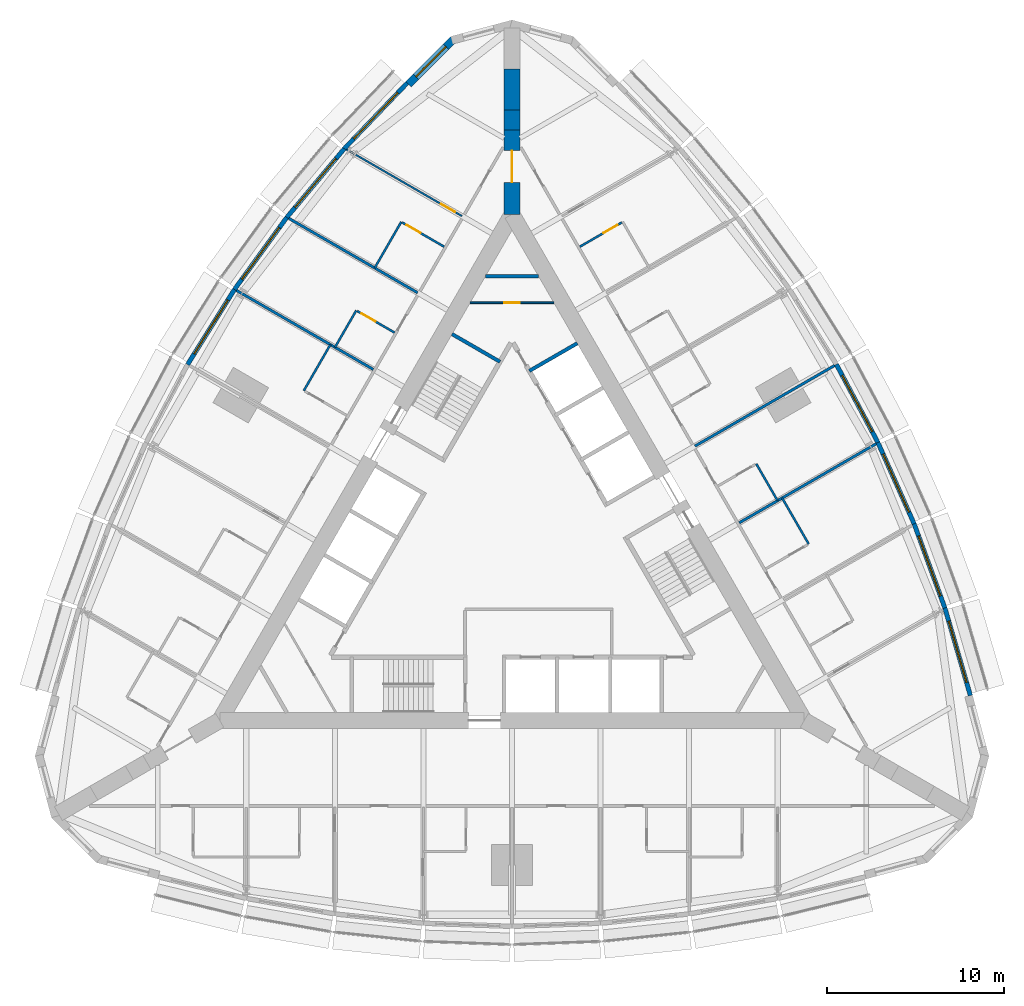
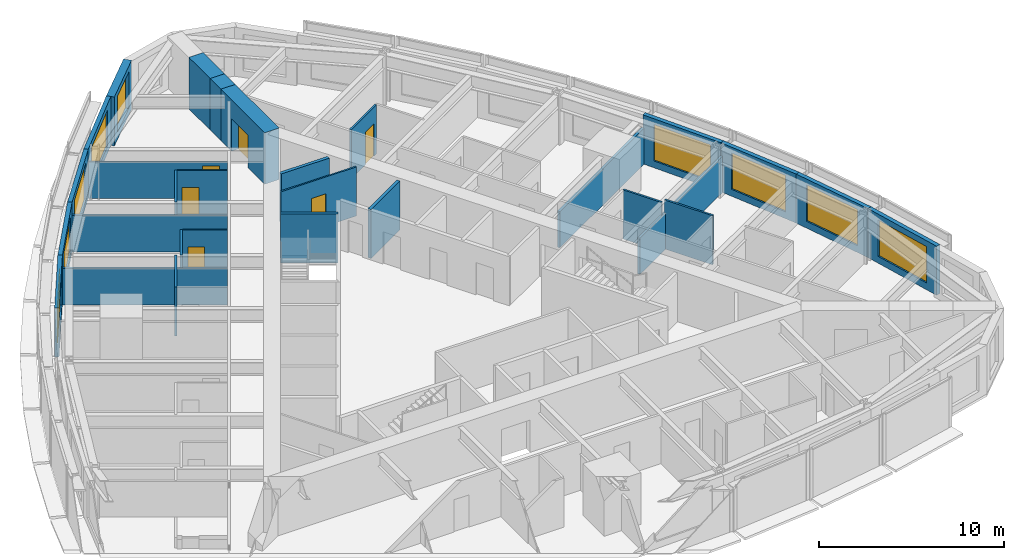
# One storey, part 12 of 14: 29 walls, 9 windows, 6 doors, 15 openings.
"""IFC4 building model written with IfcOpenShell, lengths in metres."""

from ifc_helpers import new_model, si_unit, direction, frame, frame_2d, origin, place, context, subcontext, project, spatial, rectangle, extrude, material, layer, layer_set, type_object, element, fill, save


model = new_model("IFC4")

# Units and contexts
model_context = context("Model", 3, precision=1e-05, world=origin(), true_north=direction((0.0, 1.0)))
body_context = subcontext(model_context, "Body", "Model", "MODEL_VIEW")
ifc_project = project(units=[si_unit("LENGTHUNIT", "METRE"), si_unit("AREAUNIT", "SQUARE_METRE"), si_unit("VOLUMEUNIT", "CUBIC_METRE"), si_unit("PLANEANGLEUNIT", "RADIAN"), si_unit("MASSUNIT", "GRAM", prefix="KILO")], contexts=[model_context])

# Site, building, storey
site_placement = place(None, origin())
site = spatial("IfcSite", under=ifc_project, at=site_placement, CompositionType="ELEMENT")
building_placement = place(site_placement, origin())
building = spatial("IfcBuilding", under=site, at=building_placement, Name="Trikona Tower", CompositionType="ELEMENT")
storey_placement = place(building_placement, frame((0.0, 0.0, 135.10009765625)))
storey = spatial("IfcBuildingStorey", under=building, at=storey_placement, Name="L35", CompositionType="ELEMENT", Elevation=135.10009765625)

# Walls
ifc_material_1 = material(Name="Metal stud and cement board", Category="gypsum")
ifc_layer_1 = layer(ifc_material_1, 0.1201171875)
ifc_layer_set_1 = layer_set([ifc_layer_1], Name="Bathroom wall 120")
wall_type_1 = type_object("IfcWallType", Name="Bathroom wall 120", PredefinedType="PLUMBINGWALL", material=ifc_layer_set_1)
wall_1_placement = place(storey_placement, frame((16.75341796875, 0.434814453125, 0.0), z_axis=(0.0, 0.0, 1.0), x_axis=(-0.499990139034, 0.866031096941, 0.0)))
element("IfcWall", 1, at=wall_1_placement, inside=storey, type_object=wall_type_1, Name="Bathroom wall 3506", PredefinedType="PLUMBINGWALL", context=body_context, shape_type="SweptSolid", body=[
    extrude(rectangle(XDim=3.0, YDim=0.1201171875, at=frame_2d((1.5, 0.0))), origin(), (0.0, 0.0, 1.0), 3.23486328125),
])
wall_2_placement = place(storey_placement, frame((14.993408203125, 2.883056640625, 0.0), z_axis=(0.0, 0.0, 1.0), x_axis=(-0.500001309137, 0.866024647952, 0.0)))
element("IfcWall", 2, at=wall_2_placement, inside=storey, type_object=wall_type_1, Name="Bathroom wall 3507", PredefinedType="PLUMBINGWALL", context=body_context, shape_type="SweptSolid", body=[
    extrude(rectangle(XDim=2.39990234375, YDim=0.1201171875, at=frame_2d((1.199951171875, 0.0))), origin(), (0.0, 0.0, 1.0), 3.23486328125),
])

# Wall, opening, door
wall_3_placement = place(storey_placement, frame((3.82861328125, 17.221435546875, 0.0), z_axis=(0.0, 0.0, 1.0), x_axis=(0.865997131366, 0.500048966069, 0.0)))
wall_3 = element("IfcWall", 3, at=wall_3_placement, inside=storey, type_object=wall_type_1, Name="Bathroom wall 3510.1", PredefinedType="PLUMBINGWALL", context=body_context, shape_type="SweptSolid", body=[
    extrude(rectangle(XDim=2.739990234375, YDim=0.1201171875, at=frame_2d((1.3701171875, 0.0))), origin(), (0.0, 0.0, 1.0), 3.23486328125),
])
opening_1_placement = place(wall_3_placement, frame((1.550048828125, 0.0, 0.0)))
opening_1 = element("IfcOpeningElement", 4, at=opening_1_placement, cuts=wall_3, Name="Opening D2", PredefinedType="OPENING", context=body_context, shape_type="SweptSolid", body=[
    extrude(rectangle(XDim=0.89990234375, YDim=2.1298828125, at=frame_2d((0.449951171875, 1.06494140625))), frame((0.0, 0.070068359375, 0.0), z_axis=(0.0, -1.0, 0.0), x_axis=(1.0, 0.0, 0.0)), (0.0, 0.0, 1.0), 0.14013671875),
])
ifc_material_2 = material(Name="Steel door frame with solid-core timber leaf", Category="steel")
door_type_1 = type_object("IfcDoorType", Name="Bathroom door 900x2130", OperationType="SLIDING_TO_LEFT", PredefinedType="DOOR", material=ifc_material_2)
door_1_placement = place(opening_1_placement, origin())
door_1 = element("IfcDoor", 5, at=door_1_placement, inside=storey, type_object=door_type_1, Name="Bathroom door 3510.1", OperationType="SLIDING_TO_LEFT", OverallHeight=2.1298828125, OverallWidth=0.89990234375, PredefinedType="DOOR", context=body_context, shape_type="SweptSolid", body=[
    extrude(rectangle(XDim=0.89990234375, YDim=2.1298828125, at=frame_2d((0.449951171875, 1.06494140625))), frame((0.0, 0.02490234375, 0.0), z_axis=(0.0, -1.0, 0.0), x_axis=(1.0, 0.0, 0.0)), (0.0, 0.0, 1.0), 0.050048828125),
])
fill(opening_1, door_1)

# Wall
wall_4_placement = place(storey_placement, frame((-6.25341796875, 18.62158203125, 0.0), z_axis=(0.0, 0.0, 1.0), x_axis=(-0.499990139034, -0.866031096941, 0.0)))
element("IfcWall", 6, at=wall_4_placement, inside=storey, type_object=wall_type_1, Name="Bathroom wall 3511.1", PredefinedType="PLUMBINGWALL", context=body_context, shape_type="SweptSolid", body=[
    extrude(rectangle(XDim=3.0, YDim=0.1201171875, at=frame_2d((1.5, 0.0))), origin(), (0.0, 0.0, 1.0), 3.23486328125),
])

# Wall, opening, door
wall_5_placement = place(storey_placement, frame((-3.82861328125, 17.221435546875, 0.0), z_axis=(0.0, 0.0, 1.0), x_axis=(-0.865997131366, 0.500048966069, 0.0)))
wall_5 = element("IfcWall", 7, at=wall_5_placement, inside=storey, type_object=wall_type_1, Name="Bathroom wall 3511.1", PredefinedType="PLUMBINGWALL", context=body_context, shape_type="SweptSolid", body=[
    extrude(rectangle(XDim=2.739990234375, YDim=0.1201171875, at=frame_2d((1.3701171875, 0.0))), origin(), (0.0, 0.0, 1.0), 3.23486328125),
])
opening_2_placement = place(wall_5_placement, frame((1.550048828125, 0.0, 0.0)))
opening_2 = element("IfcOpeningElement", 8, at=opening_2_placement, cuts=wall_5, Name="Opening D2", PredefinedType="OPENING", context=body_context, shape_type="SweptSolid", body=[
    extrude(rectangle(XDim=0.89990234375, YDim=2.1298828125, at=frame_2d((0.449951171875, 1.06494140625))), frame((0.0, 0.070068359375, 0.0), z_axis=(0.0, -1.0, 0.0), x_axis=(1.0, 0.0, 0.0)), (0.0, 0.0, 1.0), 0.14013671875),
])
door_2_placement = place(opening_2_placement, origin())
door_2 = element("IfcDoor", 9, at=door_2_placement, inside=storey, type_object=door_type_1, Name="Bathroom door 3511.1", OperationType="SLIDING_TO_LEFT", OverallHeight=2.1298828125, OverallWidth=0.89990234375, PredefinedType="DOOR", context=body_context, shape_type="SweptSolid", body=[
    extrude(rectangle(XDim=0.89990234375, YDim=2.1298828125, at=frame_2d((0.449951171875, 1.06494140625))), frame((0.0, 0.02490234375, 0.0), z_axis=(0.0, -1.0, 0.0), x_axis=(1.0, 0.0, 0.0)), (0.0, 0.0, 1.0), 0.050048828125),
])
fill(opening_2, door_2)

# Wall
wall_6_placement = place(storey_placement, frame((-8.79345703125, 13.62158203125, 0.0), z_axis=(0.0, 0.0, 1.0), x_axis=(-0.500001309137, -0.866024647952, 0.0)))
element("IfcWall", 10, at=wall_6_placement, inside=storey, type_object=wall_type_1, Name="Bathroom wall 3512", PredefinedType="PLUMBINGWALL", context=body_context, shape_type="SweptSolid", body=[
    extrude(rectangle(XDim=2.39990234375, YDim=0.1201171875, at=frame_2d((1.199951171875, 0.0))), origin(), (0.0, 0.0, 1.0), 3.23486328125),
])

# Wall, opening, door
wall_7_placement = place(storey_placement, frame((-6.62841796875, 12.37158203125, 0.0), z_axis=(0.0, 0.0, 1.0), x_axis=(-0.866005645448, 0.500034220881, 0.0)))
wall_7 = element("IfcWall", 11, at=wall_7_placement, inside=storey, type_object=wall_type_1, Name="Bathroom wall 3512", PredefinedType="PLUMBINGWALL", context=body_context, shape_type="SweptSolid", body=[
    extrude(rectangle(XDim=2.440185546875, YDim=0.1201171875, at=frame_2d((1.22021484375, 0.0))), origin(), (0.0, 0.0, 1.0), 3.23486328125),
])
opening_3_placement = place(wall_7_placement, frame((1.25, 0.0, 0.0)))
opening_3 = element("IfcOpeningElement", 12, at=opening_3_placement, cuts=wall_7, Name="Opening D2", PredefinedType="OPENING", context=body_context, shape_type="SweptSolid", body=[
    extrude(rectangle(XDim=0.89990234375, YDim=2.1298828125, at=frame_2d((0.449951171875, 1.06494140625))), frame((0.0, 0.070068359375, 0.0), z_axis=(0.0, -1.0, 0.0), x_axis=(1.0, 0.0, 0.0)), (0.0, 0.0, 1.0), 0.14013671875),
])
door_3_placement = place(opening_3_placement, origin())
door_3 = element("IfcDoor", 13, at=door_3_placement, inside=storey, type_object=door_type_1, Name="Bathroom door 3512", OperationType="SLIDING_TO_LEFT", OverallHeight=2.1298828125, OverallWidth=0.89990234375, PredefinedType="DOOR", context=body_context, shape_type="SweptSolid", body=[
    extrude(rectangle(XDim=0.89990234375, YDim=2.1298828125, at=frame_2d((0.449951171875, 1.06494140625))), frame((0.0, 0.02490234375, 0.0), z_axis=(0.0, -1.0, 0.0), x_axis=(1.0, 0.0, 0.0)), (0.0, 0.0, 1.0), 0.050048828125),
])
fill(opening_3, door_3)

# Wall
wall_8_placement = place(storey_placement, frame((-10.25341796875, 11.693359375, 0.0), z_axis=(0.0, 0.0, 1.0), x_axis=(-0.499990139034, -0.866031096941, 0.0)))
element("IfcWall", 14, at=wall_8_placement, inside=storey, type_object=wall_type_1, Name="Bathroom wall 3513", PredefinedType="PLUMBINGWALL", context=body_context, shape_type="SweptSolid", body=[
    extrude(rectangle(XDim=3.0, YDim=0.1201171875, at=frame_2d((1.5, 0.0))), origin(), (0.0, 0.0, 1.0), 3.23486328125),
])

# Wall, opening, window
ifc_material_3 = material(Name="Brick-faced precast concrete", Category="masonry")
ifc_layer_2 = layer(ifc_material_3, 0.449951171875)
ifc_layer_set_2 = layer_set([ifc_layer_2], Name="Brick-faced corner wall 450")
wall_type_2 = type_object("IfcWallType", Name="Brick-faced corner wall 450", PredefinedType="SOLIDWALL", material=ifc_layer_set_2)
wall_9_placement = place(storey_placement, frame((-3.304931640625, 28.934814453125, 0.0), z_axis=(0.0, 0.0, 1.0), x_axis=(-0.707106781187, -0.707106781187, 0.0)))
wall_9 = element("IfcWall", 15, at=wall_9_placement, inside=storey, type_object=wall_type_2, Name="External wall L35-23", PredefinedType="SOLIDWALL", context=body_context, shape_type="SweptSolid", body=[
    extrude(rectangle(XDim=3.586181640625, YDim=0.449951171875, at=frame_2d((1.79296875, 0.0))), origin(), (0.0, 0.0, 1.0), 3.23486328125),
])
opening_4_placement = place(wall_9_placement, frame((0.59326171875, 0.0, 0.449951171875)))
opening_4 = element("IfcOpeningElement", 16, at=opening_4_placement, cuts=wall_9, Name="Opening W2424", PredefinedType="OPENING", context=body_context, shape_type="SweptSolid", body=[
    extrude(rectangle(XDim=2.39990234375, YDim=2.39990234375, at=frame_2d((1.199951171875, 1.199951171875))), frame((0.0, 0.23486328125, 0.0), z_axis=(0.0, -1.0, 0.0), x_axis=(1.0, 0.0, 0.0)), (0.0, 0.0, 1.0), 0.469970703125),
])
ifc_material_4 = material(Name="Aluminium-framed double glazing", Category="aluminium")
window_type_1 = type_object("IfcWindowType", Name="Window 2400x2400", PartitioningType="SINGLE_PANEL", PredefinedType="WINDOW", material=ifc_material_4)
window_1_placement = place(opening_4_placement, origin())
window_1 = element("IfcWindow", 17, at=window_1_placement, inside=storey, type_object=window_type_1, Name="Window 3511", OverallHeight=2.39990234375, OverallWidth=2.39990234375, PartitioningType="SINGLE_PANEL", PredefinedType="WINDOW", context=body_context, shape_type="SweptSolid", body=[
    extrude(rectangle(XDim=2.39990234375, YDim=2.39990234375, at=frame_2d((1.199951171875, 1.199951171875))), frame((0.0, 0.030029296875, 0.0), z_axis=(0.0, -1.0, 0.0), x_axis=(1.0, 0.0, 0.0)), (0.0, 0.0, 1.0), 0.06005859375),
])
fill(opening_4, window_1)

# Wall, opening, door
ifc_material_5 = material(Name="Concrete f'c 10000 psi", Category="concrete")
ifc_layer_3 = layer(ifc_material_5, 0.89990234375)
ifc_layer_set_3 = layer_set([ifc_layer_3], Name="Buttress wall 900")
wall_type_3 = type_object("IfcWallType", Name="Buttress wall 900", PredefinedType="SHEAR", material=ifc_layer_set_3)
wall_10_placement = place(storey_placement, frame((0.0, 19.052490234375, 0.0), z_axis=(0.0, 0.0, 1.0), x_axis=(0.0, 1.0, 0.0)))
wall_10 = element("IfcWall", 18, at=wall_10_placement, inside=storey, type_object=wall_type_3, Name="Buttress wall 2", PredefinedType="SHEAR", context=body_context, shape_type="SweptSolid", body=[
    extrude(rectangle(XDim=4.74609375, YDim=0.89990234375, at=frame_2d((2.373046875, 0.0))), origin(), (0.0, 0.0, 1.0), 3.39990234375),
])
opening_5_placement = place(wall_10_placement, frame((1.800048828125, 0.0, 0.0)))
opening_5 = element("IfcOpeningElement", 19, at=opening_5_placement, cuts=wall_10, Name="Opening D10", PredefinedType="OPENING", context=body_context, shape_type="SweptSolid", body=[
    extrude(rectangle(XDim=1.800048828125, YDim=2.1298828125, at=frame_2d((0.89990234375, 1.06494140625))), frame((0.0, 0.4599609375, 0.0), z_axis=(0.0, -1.0, 0.0), x_axis=(1.0, 0.0, 0.0)), (0.0, 0.0, 1.0), 0.919921875),
])
ifc_material_6 = material(Name="Hollow metal door and frame", Category="steel")
door_type_2 = type_object("IfcDoorType", Name="Cross-corridor door pair 1800x2130", OperationType="DOUBLE_DOOR_DOUBLE_SWING", PredefinedType="DOOR", material=ifc_material_6)
door_4_placement = place(opening_5_placement, origin())
door_4 = element("IfcDoor", 20, at=door_4_placement, inside=storey, type_object=door_type_2, Name="Cross-corridor door 2", OperationType="DOUBLE_DOOR_DOUBLE_SWING", OverallHeight=2.1298828125, OverallWidth=1.800048828125, PredefinedType="DOOR", context=body_context, shape_type="SweptSolid", body=[
    extrude(rectangle(XDim=1.800048828125, YDim=2.1298828125, at=frame_2d((0.89990234375, 1.06494140625))), frame((0.0, 0.02490234375, 0.0), z_axis=(0.0, -1.0, 0.0), x_axis=(1.0, 0.0, 0.0)), (0.0, 0.0, 1.0), 0.050048828125),
])
fill(opening_5, door_4)

# Walls
wall_11_placement = place(storey_placement, frame((0.0, 23.798583984375, 0.0), z_axis=(0.0, 0.0, 1.0), x_axis=(0.0, 1.0, 0.0)))
element("IfcWall", 21, at=wall_11_placement, inside=storey, type_object=wall_type_3, Name="Buttress wall 2 part 2", PredefinedType="SHEAR", context=body_context, shape_type="SweptSolid", body=[
    extrude(rectangle(XDim=1.15478515625, YDim=0.89990234375, at=frame_2d((0.577392578125, 0.0))), origin(), (0.0, 0.0, 1.0), 3.39990234375),
])
wall_12_placement = place(storey_placement, frame((0.0, 24.953369140625, 0.0), z_axis=(0.0, 0.0, 1.0), x_axis=(0.0, 1.0, 0.0)))
element("IfcWall", 22, at=wall_12_placement, inside=storey, type_object=wall_type_3, Name="Buttress wall 2 part 3", PredefinedType="SHEAR", context=body_context, shape_type="SweptSolid", body=[
    extrude(rectangle(XDim=2.309326171875, YDim=0.89990234375, at=frame_2d((1.15478515625, 0.0))), origin(), (0.0, 0.0, 1.0), 3.39990234375),
])

# Wall, opening, window
ifc_material_7 = material(Name="Insulated precast concrete spandrel panel", Category="concrete")
ifc_layer_4 = layer(ifc_material_7, 0.25)
ifc_layer_set_4 = layer_set([ifc_layer_4], Name="Inner skin wall 250")
wall_type_4 = type_object("IfcWallType", Name="Inner skin wall 250", PredefinedType="STANDARD", material=ifc_layer_set_4)
wall_13_placement = place(storey_placement, frame((25.8798828125, -8.117919921875, 0.0), z_axis=(0.0, 0.0, 1.0), x_axis=(-0.279528287117, 0.960137457191, 0.0)))
wall_13 = element("IfcWall", 23, at=wall_13_placement, inside=storey, type_object=wall_type_4, Name="External wall L35-12", PredefinedType="STANDARD", context=body_context, shape_type="SweptSolid", body=[
    extrude(rectangle(XDim=5.14794921875, YDim=0.25, at=frame_2d((2.573974609375, 0.0))), origin(), (0.0, 0.0, 1.0), 3.23486328125),
])
opening_6_placement = place(wall_13_placement, frame((0.77392578125, 0.0, 0.449951171875)))
opening_6 = element("IfcOpeningElement", 24, at=opening_6_placement, cuts=wall_13, Name="Opening W3624", PredefinedType="OPENING", context=body_context, shape_type="SweptSolid", body=[
    extrude(rectangle(XDim=3.60009765625, YDim=2.39990234375, at=frame_2d((1.800048828125, 1.199951171875))), frame((0.0, 0.135009765625, 0.0), z_axis=(0.0, -1.0, 0.0), x_axis=(1.0, 0.0, 0.0)), (0.0, 0.0, 1.0), 0.27001953125),
])
ifc_material_8 = material(Name="Aluminium-framed double glazing", Category="aluminium")
window_type_2 = type_object("IfcWindowType", Name="Window 3600x2400", PartitioningType="SINGLE_PANEL", PredefinedType="WINDOW", material=ifc_material_8)
window_2_placement = place(opening_6_placement, origin())
window_2 = element("IfcWindow", 25, at=window_2_placement, inside=storey, type_object=window_type_2, Name="Window 3505", OverallHeight=2.39990234375, OverallWidth=3.60009765625, PartitioningType="SINGLE_PANEL", PredefinedType="WINDOW", context=body_context, shape_type="SweptSolid", body=[
    extrude(rectangle(XDim=3.60009765625, YDim=2.39990234375, at=frame_2d((1.800048828125, 1.199951171875))), frame((0.0, 0.030029296875, 0.0), z_axis=(0.0, -1.0, 0.0), x_axis=(1.0, 0.0, 0.0)), (0.0, 0.0, 1.0), 0.06005859375),
])
fill(opening_6, window_2)

wall_14_placement = place(storey_placement, frame((24.443603515625, -3.18310546875, 0.0), z_axis=(0.0, 0.0, 1.0), x_axis=(-0.343225593282, 0.939252996863, 0.0)))
wall_14 = element("IfcWall", 26, at=wall_14_placement, inside=storey, type_object=wall_type_4, Name="External wall L35-13", PredefinedType="STANDARD", context=body_context, shape_type="SweptSolid", body=[
    extrude(rectangle(XDim=5.075927734375, YDim=0.25, at=frame_2d((2.5380859375, 0.0))), origin(), (0.0, 0.0, 1.0), 3.23486328125),
])
opening_7_placement = place(wall_14_placement, frame((0.738037109375, 0.0, 0.449951171875)))
opening_7 = element("IfcOpeningElement", 27, at=opening_7_placement, cuts=wall_14, Name="Opening W3624", PredefinedType="OPENING", context=body_context, shape_type="SweptSolid", body=[
    extrude(rectangle(XDim=3.60009765625, YDim=2.39990234375, at=frame_2d((1.800048828125, 1.199951171875))), frame((0.0, 0.135009765625, 0.0), z_axis=(0.0, -1.0, 0.0), x_axis=(1.0, 0.0, 0.0)), (0.0, 0.0, 1.0), 0.27001953125),
])
window_3_placement = place(opening_7_placement, origin())
window_3 = element("IfcWindow", 28, at=window_3_placement, inside=storey, type_object=window_type_2, Name="Window 3505.1", OverallHeight=2.39990234375, OverallWidth=3.60009765625, PartitioningType="SINGLE_PANEL", PredefinedType="WINDOW", context=body_context, shape_type="SweptSolid", body=[
    extrude(rectangle(XDim=3.60009765625, YDim=2.39990234375, at=frame_2d((1.800048828125, 1.199951171875))), frame((0.0, 0.030029296875, 0.0), z_axis=(0.0, -1.0, 0.0), x_axis=(1.0, 0.0, 0.0)), (0.0, 0.0, 1.0), 0.06005859375),
])
fill(opening_7, window_3)

wall_15_placement = place(storey_placement, frame((22.70458984375, 1.576416015625, 0.0), z_axis=(0.0, 0.0, 1.0), x_axis=(-0.406832200364, 0.913502906808, 0.0)))
wall_15 = element("IfcWall", 29, at=wall_15_placement, inside=storey, type_object=wall_type_4, Name="External wall L35-14", PredefinedType="STANDARD", context=body_context, shape_type="SweptSolid", body=[
    extrude(rectangle(XDim=5.027587890625, YDim=0.25, at=frame_2d((2.513671875, 0.0))), origin(), (0.0, 0.0, 1.0), 3.23486328125),
])
opening_8_placement = place(wall_15_placement, frame((0.713623046875, 0.0, 0.449951171875)))
opening_8 = element("IfcOpeningElement", 30, at=opening_8_placement, cuts=wall_15, Name="Opening W3624", PredefinedType="OPENING", context=body_context, shape_type="SweptSolid", body=[
    extrude(rectangle(XDim=3.60009765625, YDim=2.39990234375, at=frame_2d((1.800048828125, 1.199951171875))), frame((0.0, 0.135009765625, 0.0), z_axis=(0.0, -1.0, 0.0), x_axis=(1.0, 0.0, 0.0)), (0.0, 0.0, 1.0), 0.27001953125),
])
window_4_placement = place(opening_8_placement, origin())
window_4 = element("IfcWindow", 31, at=window_4_placement, inside=storey, type_object=window_type_2, Name="Window 3506", OverallHeight=2.39990234375, OverallWidth=3.60009765625, PartitioningType="SINGLE_PANEL", PredefinedType="WINDOW", context=body_context, shape_type="SweptSolid", body=[
    extrude(rectangle(XDim=3.60009765625, YDim=2.39990234375, at=frame_2d((1.800048828125, 1.199951171875))), frame((0.0, 0.030029296875, 0.0), z_axis=(0.0, -1.0, 0.0), x_axis=(1.0, 0.0, 0.0)), (0.0, 0.0, 1.0), 0.06005859375),
])
fill(opening_8, window_4)

wall_16_placement = place(storey_placement, frame((20.662841796875, 6.161376953125, 0.0), z_axis=(0.0, 0.0, 1.0), x_axis=(-0.469404966864, 0.882982999317, 0.0)))
wall_16 = element("IfcWall", 32, at=wall_16_placement, inside=storey, type_object=wall_type_4, Name="External wall L35-15", PredefinedType="STANDARD", context=body_context, shape_type="SweptSolid", body=[
    extrude(rectangle(XDim=5.0029296875, YDim=0.25, at=frame_2d((2.50146484375, 0.0))), origin(), (0.0, 0.0, 1.0), 3.23486328125),
])
opening_9_placement = place(wall_16_placement, frame((0.701416015625, 0.0, 0.449951171875)))
opening_9 = element("IfcOpeningElement", 33, at=opening_9_placement, cuts=wall_16, Name="Opening W3624", PredefinedType="OPENING", context=body_context, shape_type="SweptSolid", body=[
    extrude(rectangle(XDim=3.60009765625, YDim=2.39990234375, at=frame_2d((1.800048828125, 1.199951171875))), frame((0.0, 0.135009765625, 0.0), z_axis=(0.0, -1.0, 0.0), x_axis=(1.0, 0.0, 0.0)), (0.0, 0.0, 1.0), 0.27001953125),
])
window_5_placement = place(opening_9_placement, origin())
window_5 = element("IfcWindow", 34, at=window_5_placement, inside=storey, type_object=window_type_2, Name="Window 3507", OverallHeight=2.39990234375, OverallWidth=3.60009765625, PartitioningType="SINGLE_PANEL", PredefinedType="WINDOW", context=body_context, shape_type="SweptSolid", body=[
    extrude(rectangle(XDim=3.60009765625, YDim=2.39990234375, at=frame_2d((1.800048828125, 1.199951171875))), frame((0.0, 0.030029296875, 0.0), z_axis=(0.0, -1.0, 0.0), x_axis=(1.0, 0.0, 0.0)), (0.0, 0.0, 1.0), 0.06005859375),
])
fill(opening_9, window_5)

wall_17_placement = place(storey_placement, frame((-5.90966796875, 26.4716796875, 0.0), z_axis=(0.0, 0.0, 1.0), x_axis=(-0.691719937936, -0.722165858693, 0.0)))
wall_17 = element("IfcWall", 35, at=wall_17_placement, inside=storey, type_object=wall_type_4, Name="External wall L35-24", PredefinedType="STANDARD", context=body_context, shape_type="SweptSolid", body=[
    extrude(rectangle(XDim=5.148193359375, YDim=0.25, at=frame_2d((2.57421875, 0.0))), origin(), (0.0, 0.0, 1.0), 3.23486328125),
])
opening_10_placement = place(wall_17_placement, frame((0.77392578125, 0.0, 0.449951171875)))
opening_10 = element("IfcOpeningElement", 36, at=opening_10_placement, cuts=wall_17, Name="Opening W3624", PredefinedType="OPENING", context=body_context, shape_type="SweptSolid", body=[
    extrude(rectangle(XDim=3.60009765625, YDim=2.39990234375, at=frame_2d((1.800048828125, 1.199951171875))), frame((0.0, 0.135009765625, 0.0), z_axis=(0.0, -1.0, 0.0), x_axis=(1.0, 0.0, 0.0)), (0.0, 0.0, 1.0), 0.27001953125),
])
window_6_placement = place(opening_10_placement, origin())
window_6 = element("IfcWindow", 37, at=window_6_placement, inside=storey, type_object=window_type_2, Name="Window 3511", OverallHeight=2.39990234375, OverallWidth=3.60009765625, PartitioningType="SINGLE_PANEL", PredefinedType="WINDOW", context=body_context, shape_type="SweptSolid", body=[
    extrude(rectangle(XDim=3.60009765625, YDim=2.39990234375, at=frame_2d((1.800048828125, 1.199951171875))), frame((0.0, 0.030029296875, 0.0), z_axis=(0.0, -1.0, 0.0), x_axis=(1.0, 0.0, 0.0)), (0.0, 0.0, 1.0), 0.06005859375),
])
fill(opening_10, window_6)

wall_18_placement = place(storey_placement, frame((-9.465087890625, 22.76025390625, 0.0), z_axis=(0.0, 0.0, 1.0), x_axis=(-0.641810386606, -0.766863369607, 0.0)))
wall_18 = element("IfcWall", 38, at=wall_18_placement, inside=storey, type_object=wall_type_4, Name="External wall L35-25", PredefinedType="STANDARD", context=body_context, shape_type="SweptSolid", body=[
    extrude(rectangle(XDim=5.075927734375, YDim=0.25, at=frame_2d((2.5380859375, 0.0))), origin(), (0.0, 0.0, 1.0), 3.23486328125),
])
opening_11_placement = place(wall_18_placement, frame((0.738037109375, 0.0, 0.449951171875)))
opening_11 = element("IfcOpeningElement", 39, at=opening_11_placement, cuts=wall_18, Name="Opening W3624", PredefinedType="OPENING", context=body_context, shape_type="SweptSolid", body=[
    extrude(rectangle(XDim=3.60009765625, YDim=2.39990234375, at=frame_2d((1.800048828125, 1.199951171875))), frame((0.0, 0.135009765625, 0.0), z_axis=(0.0, -1.0, 0.0), x_axis=(1.0, 0.0, 0.0)), (0.0, 0.0, 1.0), 0.27001953125),
])
window_7_placement = place(opening_11_placement, origin())
window_7 = element("IfcWindow", 40, at=window_7_placement, inside=storey, type_object=window_type_2, Name="Window 3511.1", OverallHeight=2.39990234375, OverallWidth=3.60009765625, PartitioningType="SINGLE_PANEL", PredefinedType="WINDOW", context=body_context, shape_type="SweptSolid", body=[
    extrude(rectangle(XDim=3.60009765625, YDim=2.39990234375, at=frame_2d((1.800048828125, 1.199951171875))), frame((0.0, 0.030029296875, 0.0), z_axis=(0.0, -1.0, 0.0), x_axis=(1.0, 0.0, 0.0)), (0.0, 0.0, 1.0), 0.06005859375),
])
fill(opening_11, window_7)

wall_19_placement = place(storey_placement, frame((-12.717529296875, 18.87451171875, 0.0), z_axis=(0.0, 0.0, 1.0), x_axis=(-0.587669188412, -0.809101307001, 0.0)))
wall_19 = element("IfcWall", 41, at=wall_19_placement, inside=storey, type_object=wall_type_4, Name="External wall L35-26", PredefinedType="STANDARD", context=body_context, shape_type="SweptSolid", body=[
    extrude(rectangle(XDim=5.027587890625, YDim=0.25, at=frame_2d((2.513671875, 0.0))), origin(), (0.0, 0.0, 1.0), 3.23486328125),
])
opening_12_placement = place(wall_19_placement, frame((0.7138671875, 0.0, 0.449951171875)))
opening_12 = element("IfcOpeningElement", 42, at=opening_12_placement, cuts=wall_19, Name="Opening W3624", PredefinedType="OPENING", context=body_context, shape_type="SweptSolid", body=[
    extrude(rectangle(XDim=3.60009765625, YDim=2.39990234375, at=frame_2d((1.800048828125, 1.199951171875))), frame((0.0, 0.135009765625, 0.0), z_axis=(0.0, -1.0, 0.0), x_axis=(1.0, 0.0, 0.0)), (0.0, 0.0, 1.0), 0.27001953125),
])
window_8_placement = place(opening_12_placement, origin())
window_8 = element("IfcWindow", 43, at=window_8_placement, inside=storey, type_object=window_type_2, Name="Window 3512", OverallHeight=2.39990234375, OverallWidth=3.60009765625, PartitioningType="SINGLE_PANEL", PredefinedType="WINDOW", context=body_context, shape_type="SweptSolid", body=[
    extrude(rectangle(XDim=3.60009765625, YDim=2.39990234375, at=frame_2d((1.800048828125, 1.199951171875))), frame((0.0, 0.030029296875, 0.0), z_axis=(0.0, -1.0, 0.0), x_axis=(1.0, 0.0, 0.0)), (0.0, 0.0, 1.0), 0.06005859375),
])
fill(opening_12, window_8)

wall_20_placement = place(storey_placement, frame((-15.667236328125, 14.81396484375, 0.0), z_axis=(0.0, 0.0, 1.0), x_axis=(-0.529990167382, -0.84800378683, 0.0)))
wall_20 = element("IfcWall", 44, at=wall_20_placement, inside=storey, type_object=wall_type_4, Name="External wall L35-27", PredefinedType="STANDARD", context=body_context, shape_type="SweptSolid", body=[
    extrude(rectangle(XDim=5.003173828125, YDim=0.25, at=frame_2d((2.50146484375, 0.0))), origin(), (0.0, 0.0, 1.0), 3.23486328125),
])
opening_13_placement = place(wall_20_placement, frame((0.701416015625, 0.0, 0.449951171875)))
opening_13 = element("IfcOpeningElement", 45, at=opening_13_placement, cuts=wall_20, Name="Opening W3624", PredefinedType="OPENING", context=body_context, shape_type="SweptSolid", body=[
    extrude(rectangle(XDim=3.60009765625, YDim=2.39990234375, at=frame_2d((1.800048828125, 1.199951171875))), frame((0.0, 0.135009765625, 0.0), z_axis=(0.0, -1.0, 0.0), x_axis=(1.0, 0.0, 0.0)), (0.0, 0.0, 1.0), 0.27001953125),
])
window_9_placement = place(opening_13_placement, origin())
window_9 = element("IfcWindow", 46, at=window_9_placement, inside=storey, type_object=window_type_2, Name="Window 3513", OverallHeight=2.39990234375, OverallWidth=3.60009765625, PartitioningType="SINGLE_PANEL", PredefinedType="WINDOW", context=body_context, shape_type="SweptSolid", body=[
    extrude(rectangle(XDim=3.60009765625, YDim=2.39990234375, at=frame_2d((1.800048828125, 1.199951171875))), frame((0.0, 0.030029296875, 0.0), z_axis=(0.0, -1.0, 0.0), x_axis=(1.0, 0.0, 0.0)), (0.0, 0.0, 1.0), 0.06005859375),
])
fill(opening_13, window_9)

# Walls
ifc_material_9 = material(Name="Metal stud and gypsum board, 1-hour acoustic", Category="gypsum")
ifc_layer_5 = layer(ifc_material_9, 0.14990234375)
ifc_layer_set_5 = layer_set([ifc_layer_5], Name="Party wall 150")
wall_type_5 = type_object("IfcWallType", Name="Party wall 150", PredefinedType="PARTITIONING", material=ifc_layer_set_5)
wall_21_placement = place(storey_placement, frame((12.82861328125, 1.633056640625, 0.0), z_axis=(0.0, 0.0, 1.0), x_axis=(0.866027015393, 0.499997208602, 0.0)))
element("IfcWall", 47, at=wall_21_placement, inside=storey, type_object=wall_type_5, Name="Partition L35 F2 u-5", PredefinedType="PARTITIONING", context=body_context, shape_type="SweptSolid", body=[
    extrude(rectangle(XDim=8.92236328125, YDim=0.14990234375, at=frame_2d((4.461181640625, 0.0))), origin(), (0.0, 0.0, 1.0), 2.38916015625),
])
wall_22_placement = place(storey_placement, frame((10.32861328125, 5.963134765625, 0.0), z_axis=(0.0, 0.0, 1.0), x_axis=(0.866025170687, 0.500000403736, 0.0)))
element("IfcWall", 48, at=wall_22_placement, inside=storey, type_object=wall_type_5, Name="Partition L35 F2 u-4.44089e-15", PredefinedType="PARTITIONING", context=body_context, shape_type="SweptSolid", body=[
    extrude(rectangle(XDim=9.0986328125, YDim=0.14990234375, at=frame_2d((4.54931640625, 0.0))), origin(), (0.0, 0.0, 1.0), 2.38916015625),
])
wall_23_placement = place(storey_placement, frame((-5.32861328125, 14.623291015625, 0.0), z_axis=(0.0, 0.0, 1.0), x_axis=(-0.866011723728, 0.500023693804, 0.0)))
element("IfcWall", 49, at=wall_23_placement, inside=storey, type_object=wall_type_5, Name="Partition L35 F3 u-10", PredefinedType="PARTITIONING", context=body_context, shape_type="SweptSolid", body=[
    extrude(rectangle(XDim=8.39501953125, YDim=0.14990234375, at=frame_2d((4.197509765625, 0.0))), origin(), (0.0, 0.0, 1.0), 2.38916015625),
])
wall_24_placement = place(storey_placement, frame((-7.82861328125, 10.293212890625, 0.0), z_axis=(0.0, 0.0, 1.0), x_axis=(-0.866027015393, 0.499997208602, 0.0)))
element("IfcWall", 50, at=wall_24_placement, inside=storey, type_object=wall_type_5, Name="Partition L35 F3 u-5", PredefinedType="PARTITIONING", context=body_context, shape_type="SweptSolid", body=[
    extrude(rectangle(XDim=8.92236328125, YDim=0.14990234375, at=frame_2d((4.461181640625, 0.0))), origin(), (0.0, 0.0, 1.0), 2.38916015625),
])
ifc_material_10 = material(Name="Concrete f'c 8000 psi", Category="concrete")
ifc_layer_6 = layer(ifc_material_10, 0.199951171875)
ifc_layer_set_6 = layer_set([ifc_layer_6], Name="Shaft wall 200")
wall_type_6 = type_object("IfcWallType", Name="Shaft wall 200", PredefinedType="SOLIDWALL", material=ifc_layer_set_6)
wall_25_placement = place(storey_placement, frame((0.97900390625, 10.20703125, 0.0), z_axis=(0.0, 0.0, 1.0), x_axis=(0.866022959057, 0.500004234368, 0.0)))
element("IfcWall", 51, at=wall_25_placement, inside=storey, type_object=wall_type_6, Name="Shaft wall B6", PredefinedType="SOLIDWALL", context=body_context, shape_type="SweptSolid", body=[
    extrude(rectangle(XDim=3.125, YDim=0.199951171875, at=frame_2d((1.5625, 0.0))), origin(), (0.0, 0.0, 1.0), 3.23486328125),
])
wall_26_placement = place(storey_placement, frame((-1.501220703125, 15.552490234375, 0.0), z_axis=(0.0, 0.0, 1.0), x_axis=(1.0, 0.0, 0.0)))
element("IfcWall", 52, at=wall_26_placement, inside=storey, type_object=wall_type_6, Name="Riser wall L35-RS2", PredefinedType="SOLIDWALL", context=body_context, shape_type="SweptSolid", body=[
    extrude(rectangle(XDim=3.00244140625, YDim=0.199951171875, at=frame_2d((1.501220703125, 0.0))), origin(), (0.0, 0.0, 1.0), 3.23486328125),
])
ifc_material_11 = material(Name="Concrete f'c 8000 psi", Category="concrete")
ifc_layer_7 = layer(ifc_material_11, 0.199951171875)
ifc_layer_set_7 = layer_set([ifc_layer_7], Name="Shaft wall 200 load-bearing")
wall_type_7 = type_object("IfcWallType", Name="Shaft wall 200 load-bearing", PredefinedType="SOLIDWALL", material=ifc_layer_set_7)
wall_27_placement = place(storey_placement, frame((-0.678955078125, 10.7265625, 0.0), z_axis=(0.0, 0.0, 1.0), x_axis=(-0.866022959057, 0.500004234368, 0.0)))
element("IfcWall", 53, at=wall_27_placement, inside=storey, type_object=wall_type_7, Name="Shaft wall C1", PredefinedType="SOLIDWALL", context=body_context, shape_type="SweptSolid", body=[
    extrude(rectangle(XDim=3.125, YDim=0.199951171875, at=frame_2d((1.5625, 0.0))), origin(), (0.0, 0.0, 1.0), 3.23486328125),
])

# Wall, opening, door
ifc_material_12 = material(Name="Metal stud and gypsum board, acoustic", Category="gypsum")
ifc_layer_8 = layer(ifc_material_12, 0.10009765625)
ifc_layer_set_8 = layer_set([ifc_layer_8], Name="Suite partition 100")
wall_type_8 = type_object("IfcWallType", Name="Suite partition 100", PredefinedType="PARTITIONING", material=ifc_layer_set_8)
wall_28_placement = place(storey_placement, frame((-2.82861328125, 18.95361328125, 0.0), z_axis=(0.0, 0.0, 1.0), x_axis=(-0.866015739374, 0.500016738876, 0.0)))
wall_28 = element("IfcWall", 54, at=wall_28_placement, inside=storey, type_object=wall_type_8, Name="Suite partition L35 F3 u-15", PredefinedType="PARTITIONING", context=body_context, shape_type="SweptSolid", body=[
    extrude(rectangle(XDim=7.516357421875, YDim=0.10009765625, at=frame_2d((3.75830078125, 0.0))), origin(), (0.0, 0.0, 1.0), 2.38916015625),
])
opening_14_placement = place(wall_28_placement, frame((0.449951171875, 0.0, 0.0)))
opening_14 = element("IfcOpeningElement", 55, at=opening_14_placement, cuts=wall_28, Name="Opening D13", PredefinedType="OPENING", context=body_context, shape_type="SweptSolid", body=[
    extrude(rectangle(XDim=0.89990234375, YDim=2.1298828125, at=frame_2d((0.449951171875, 1.06494140625))), frame((0.0, 0.06005859375, 0.0), z_axis=(0.0, -1.0, 0.0), x_axis=(1.0, 0.0, 0.0)), (0.0, 0.0, 1.0), 0.1201171875),
])
ifc_material_13 = material(Name="Steel door frame with solid-core timber leaf", Category="steel")
door_type_3 = type_object("IfcDoorType", Name="Suite door 900x2130", OperationType="SINGLE_SWING_LEFT", PredefinedType="DOOR", material=ifc_material_13)
door_5_placement = place(opening_14_placement, origin())
door_5 = element("IfcDoor", 56, at=door_5_placement, inside=storey, type_object=door_type_3, Name="Suite door 3511", OperationType="SINGLE_SWING_LEFT", OverallHeight=2.1298828125, OverallWidth=0.89990234375, PredefinedType="DOOR", context=body_context, shape_type="SweptSolid", body=[
    extrude(rectangle(XDim=0.89990234375, YDim=2.1298828125, at=frame_2d((0.449951171875, 1.06494140625))), frame((0.0, 0.02490234375, 0.0), z_axis=(0.0, -1.0, 0.0), x_axis=(1.0, 0.0, 0.0)), (0.0, 0.0, 1.0), 0.050048828125),
])
fill(opening_14, door_5)

wall_29_placement = place(storey_placement, frame((-2.3671875, 14.052490234375, 0.0), z_axis=(0.0, 0.0, 1.0), x_axis=(1.0, 0.0, 0.0)))
wall_29 = element("IfcWall", 57, at=wall_29_placement, inside=storey, type_object=wall_type_8, Name="Store partition L35-RS2", PredefinedType="PARTITIONING", context=body_context, shape_type="SweptSolid", body=[
    extrude(rectangle(XDim=4.734375, YDim=0.10009765625, at=frame_2d((2.3671875, 0.0))), origin(), (0.0, 0.0, 1.0), 3.23486328125),
])
opening_15_placement = place(wall_29_placement, frame((1.9169921875, 0.0, 0.0)))
opening_15 = element("IfcOpeningElement", 58, at=opening_15_placement, cuts=wall_29, Name="Opening D15", PredefinedType="OPENING", context=body_context, shape_type="SweptSolid", body=[
    extrude(rectangle(XDim=0.89990234375, YDim=2.1298828125, at=frame_2d((0.449951171875, 1.06494140625))), frame((0.0, 0.06005859375, 0.0), z_axis=(0.0, -1.0, 0.0), x_axis=(1.0, 0.0, 0.0)), (0.0, 0.0, 1.0), 0.1201171875),
])
ifc_material_14 = material(Name="Steel door frame with solid-core timber leaf", Category="steel")
door_type_4 = type_object("IfcDoorType", Name="Store door 900x2130", OperationType="SINGLE_SWING_LEFT", PredefinedType="DOOR", material=ifc_material_14)
door_6_placement = place(opening_15_placement, origin())
door_6 = element("IfcDoor", 59, at=door_6_placement, inside=storey, type_object=door_type_4, Name="Door Cleaner's store CLN", OperationType="SINGLE_SWING_LEFT", OverallHeight=2.1298828125, OverallWidth=0.89990234375, PredefinedType="DOOR", context=body_context, shape_type="SweptSolid", body=[
    extrude(rectangle(XDim=0.89990234375, YDim=2.1298828125, at=frame_2d((0.449951171875, 1.06494140625))), frame((0.0, 0.02490234375, 0.0), z_axis=(0.0, -1.0, 0.0), x_axis=(1.0, 0.0, 0.0)), (0.0, 0.0, 1.0), 0.050048828125),
])
fill(opening_15, door_6)

save(model, "model.ifc")
